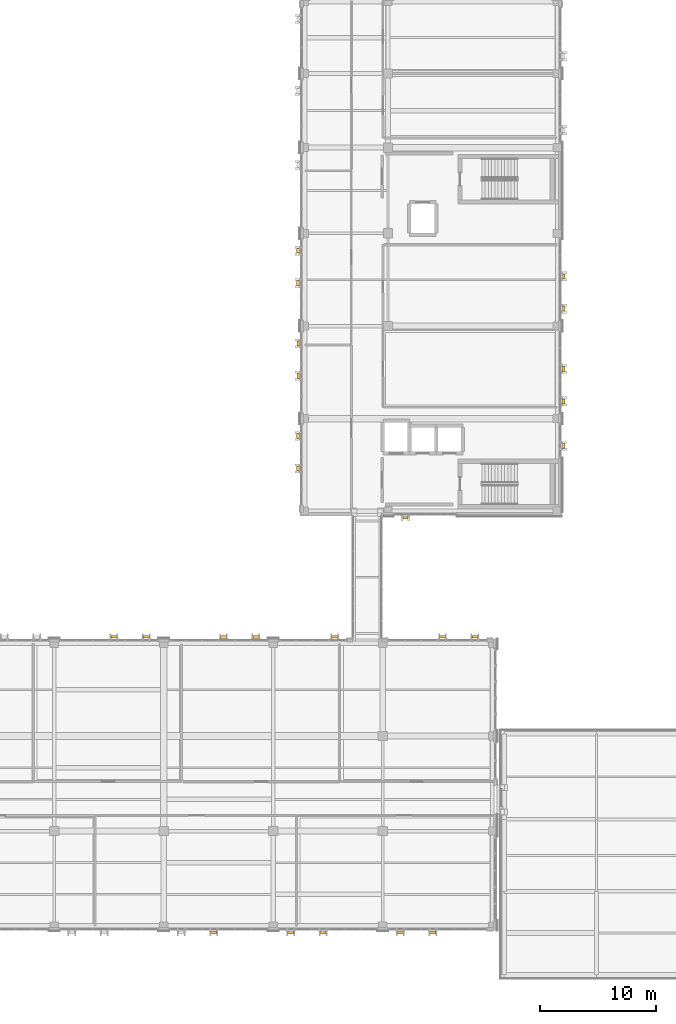
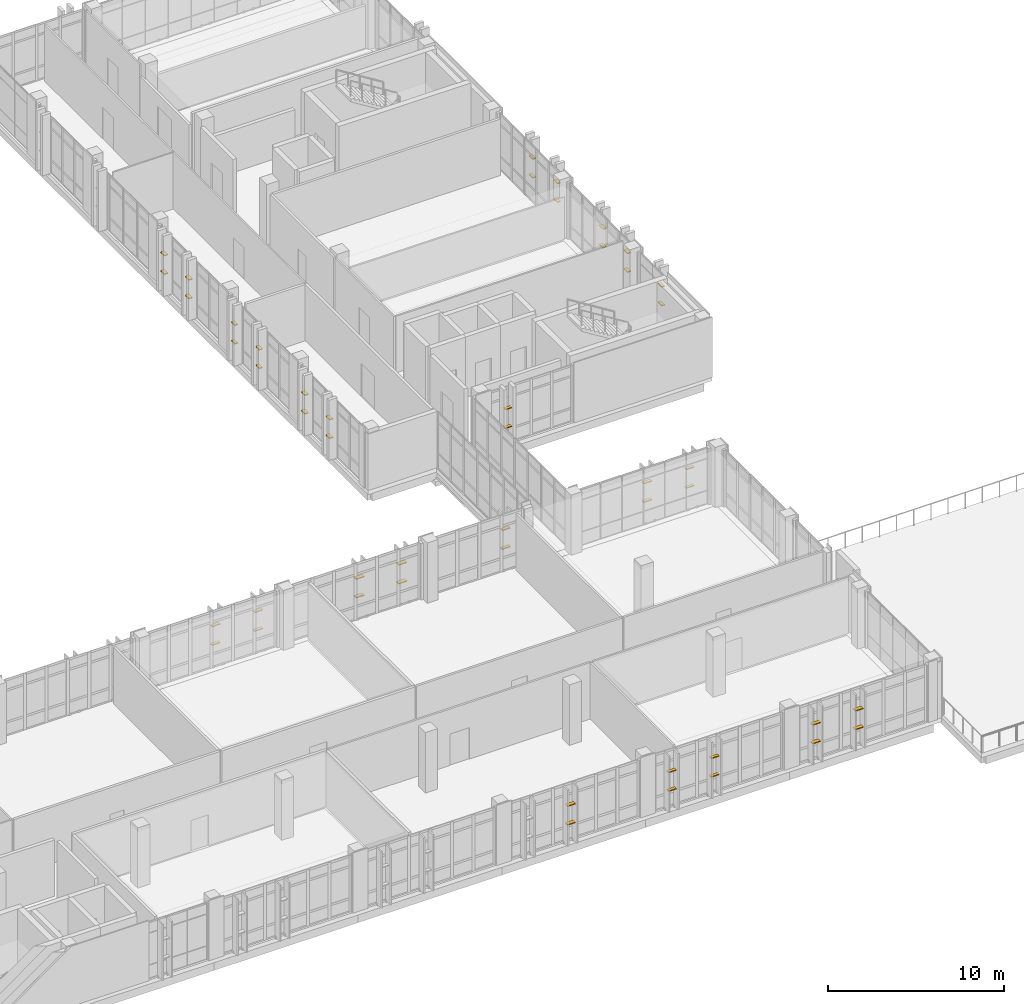
# One storey, part 163 of 165: 48 shading devices.
"""IFC4 building model written with IfcOpenShell, lengths in metres."""

from ifc_helpers import new_model, si_unit, direction, frame, origin, origin_2d, place, context, subcontext, project, spatial, rectangle, extrude, material, type_object, element, save


model = new_model("IFC4")

# Units and contexts
model_context = context("Model", 3, precision=1e-05, world=origin(), true_north=direction((0.0, 1.0)))
body_context = subcontext(model_context, "Body", "Model", "MODEL_VIEW")
ifc_project = project(units=[si_unit("LENGTHUNIT", "METRE"), si_unit("AREAUNIT", "SQUARE_METRE"), si_unit("VOLUMEUNIT", "CUBIC_METRE"), si_unit("PLANEANGLEUNIT", "RADIAN"), si_unit("MASSUNIT", "GRAM", prefix="KILO")], contexts=[model_context])

# Site, building, storey
site_placement = place(None, origin())
site = spatial("IfcSite", under=ifc_project, at=site_placement, CompositionType="ELEMENT")
building_placement = place(site_placement, origin())
building = spatial("IfcBuilding", under=site, at=building_placement, Name="Qalavern Law Courts", CompositionType="ELEMENT")
storey_placement = place(building_placement, frame((0.0, 0.0, 14.39990234375)))
storey = spatial("IfcBuildingStorey", under=building, at=storey_placement, Name="L03", CompositionType="ELEMENT", Elevation=14.39990234375)

# Shading devices
ifc_material = material(Name="Anodised aluminium", Category="aluminium")
shading_device_type_1 = type_object("IfcShadingDeviceType", Name="ENV-LOUV-1", PredefinedType="JALOUSIE", material=ifc_material)
for number, where, z_axis, x_axis, name in (
    (1, (83.391357421875, 5.03759765625, 1.342041015625), (0.0, 0.0, 1.0), (1.0, 0.0, 0.0), "Horizontal sun louvre V2-L03-0-1"),
    (2, (83.391357421875, 5.03759765625, 2.6357421875), (0.0, 0.0, 1.0), (1.0, 0.0, 0.0), "Horizontal sun louvre V2-L03-0-2"),
    (3, (86.19140625, 5.03759765625, 1.342041015625), (0.0, 0.0, 1.0), (1.0, 0.0, 0.0), "Horizontal sun louvre V2-L03-1-1"),
    (4, (86.19140625, 5.03759765625, 2.6357421875), (0.0, 0.0, 1.0), (1.0, 0.0, 0.0), "Horizontal sun louvre V2-L03-1-2"),
    (5, (99.300048828125, 30.5625, 1.342041015625), (0.0, 0.0, 1.0), (-1.0, 0.0, 0.0), "Horizontal sun louvre V2-L03-0-1"),
    (6, (99.300048828125, 30.5625, 2.6357421875), (0.0, 0.0, 1.0), (-1.0, 0.0, 0.0), "Horizontal sun louvre V2-L03-0-2"),
    (7, (96.5, 30.5625, 1.342041015625), (0.0, 0.0, 1.0), (-1.0, 0.0, 0.0), "Horizontal sun louvre V2-L03-1-1"),
    (8, (96.5, 30.5625, 2.6357421875), (0.0, 0.0, 1.0), (-1.0, 0.0, 0.0), "Horizontal sun louvre V2-L03-1-2"),
    (9, (87.199951171875, 30.5625, 1.342041015625), (0.0, 0.0, 1.0), (-1.0, 0.0, 0.0), "Horizontal sun louvre V2-L03-0-1"),
    (10, (87.199951171875, 30.5625, 2.6357421875), (0.0, 0.0, 1.0), (-1.0, 0.0, 0.0), "Horizontal sun louvre V2-L03-0-2"),
    (11, (70.93701171875, 30.5625, 1.342041015625), (0.0, 0.0, 1.0), (-1.0, 0.0, 0.0), "Horizontal sun louvre V2-L03-0-1"),
    (12, (70.93701171875, 30.5625, 2.6357421875), (0.0, 0.0, 1.0), (-1.0, 0.0, 0.0), "Horizontal sun louvre V2-L03-0-2"),
    (13, (68.13720703125, 30.5625, 1.342041015625), (0.0, 0.0, 1.0), (-1.0, 0.0, 0.0), "Horizontal sun louvre V2-L03-1-1"),
    (14, (68.13720703125, 30.5625, 2.6357421875), (0.0, 0.0, 1.0), (-1.0, 0.0, 0.0), "Horizontal sun louvre V2-L03-1-2"),
):
    element("IfcShadingDevice", number, at=place(storey_placement, frame(where, z_axis=z_axis, x_axis=x_axis)), inside=storey, type_object=shading_device_type_1, Name=name, PredefinedType="JALOUSIE", context=body_context, shape_type="SweptSolid", body=[
        extrude(rectangle(XDim=0.534912109375, YDim=0.2099609375, at=origin_2d()), origin(), (0.0, 0.0, 1.0), 0.06005859375),
    ])
for number, where, z_axis, x_axis, name in (
    (15, (93.300048828125, 40.857421875, 1.342041015625), (0.0, 0.0, 1.0), (1.0, 0.0, 0.0), "Horizontal sun louvre V4-L03-0-1"),
    (16, (93.300048828125, 40.857421875, 2.6357421875), (0.0, 0.0, 1.0), (1.0, 0.0, 0.0), "Horizontal sun louvre V4-L03-0-2"),
    (17, (106.96240234375, 47.050048828125, 1.342041015625), (0.0, 0.0, 1.0), (0.0, 1.0, 0.0), "Horizontal sun louvre V4-L03-0-1"),
    (18, (106.96240234375, 47.050048828125, 2.6357421875), (0.0, 0.0, 1.0), (0.0, 1.0, 0.0), "Horizontal sun louvre V4-L03-0-2"),
    (19, (106.96240234375, 58.89990234375, 1.342041015625), (0.0, 0.0, 1.0), (0.0, 1.0, 0.0), "Horizontal sun louvre V4-L03-0-1"),
    (20, (106.96240234375, 58.89990234375, 2.6357421875), (0.0, 0.0, 1.0), (0.0, 1.0, 0.0), "Horizontal sun louvre V4-L03-0-2"),
    (21, (106.96240234375, 61.699951171875, 1.342041015625), (0.0, 0.0, 1.0), (0.0, 1.0, 0.0), "Horizontal sun louvre V4-L03-1-1"),
    (22, (106.96240234375, 61.699951171875, 2.6357421875), (0.0, 0.0, 1.0), (0.0, 1.0, 0.0), "Horizontal sun louvre V4-L03-1-2"),
    (23, (84.03759765625, 55.89990234375, 1.342041015625), (0.0, 0.0, 1.0), (0.0, -1.0, 0.0), "Horizontal sun louvre V4-L03-0-1"),
    (24, (84.03759765625, 55.89990234375, 2.6357421875), (0.0, 0.0, 1.0), (0.0, -1.0, 0.0), "Horizontal sun louvre V4-L03-0-2"),
    (25, (84.03759765625, 53.10009765625, 1.342041015625), (0.0, 0.0, 1.0), (0.0, -1.0, 0.0), "Horizontal sun louvre V4-L03-1-1"),
    (26, (84.03759765625, 53.10009765625, 2.6357421875), (0.0, 0.0, 1.0), (0.0, -1.0, 0.0), "Horizontal sun louvre V4-L03-1-2"),
):
    element("IfcShadingDevice", number, at=place(storey_placement, frame(where, z_axis=z_axis, x_axis=x_axis)), inside=storey, type_object=shading_device_type_1, Name=name, PredefinedType="JALOUSIE", context=body_context, shape_type="SweptSolid", body=[
        extrude(rectangle(XDim=0.419921875, YDim=0.2099609375, at=origin_2d()), origin(), (0.0, 0.0, 1.0), 0.06005859375),
    ])
shading_device_type_2 = type_object("IfcShadingDeviceType", Name="ENV-LOUV-2", PredefinedType="JALOUSIE", material=ifc_material)
for number, where, z_axis, x_axis, name in (
    (27, (76.737060546875, 5.03759765625, 1.342041015625), (0.0, 0.0, 1.0), (1.0, 0.0, 0.0), "Horizontal sun louvre V2-L03-1-1"),
    (28, (76.737060546875, 5.03759765625, 2.6357421875), (0.0, 0.0, 1.0), (1.0, 0.0, 0.0), "Horizontal sun louvre V2-L03-1-2"),
    (29, (92.845703125, 5.03759765625, 1.342041015625), (0.0, 0.0, 1.0), (1.0, 0.0, 0.0), "Horizontal sun louvre V2-L03-0-1"),
    (30, (92.845703125, 5.03759765625, 2.6357421875), (0.0, 0.0, 1.0), (1.0, 0.0, 0.0), "Horizontal sun louvre V2-L03-0-2"),
    (31, (95.645751953125, 5.03759765625, 1.342041015625), (0.0, 0.0, 1.0), (1.0, 0.0, 0.0), "Horizontal sun louvre V2-L03-1-1"),
    (32, (95.645751953125, 5.03759765625, 2.6357421875), (0.0, 0.0, 1.0), (1.0, 0.0, 0.0), "Horizontal sun louvre V2-L03-1-2"),
    (33, (80.391357421875, 30.5625, 1.342041015625), (0.0, 0.0, 1.0), (-1.0, 0.0, 0.0), "Horizontal sun louvre V2-L03-0-1"),
    (34, (80.391357421875, 30.5625, 2.6357421875), (0.0, 0.0, 1.0), (-1.0, 0.0, 0.0), "Horizontal sun louvre V2-L03-0-2"),
    (35, (77.59130859375, 30.5625, 1.342041015625), (0.0, 0.0, 1.0), (-1.0, 0.0, 0.0), "Horizontal sun louvre V2-L03-1-1"),
    (36, (77.59130859375, 30.5625, 2.6357421875), (0.0, 0.0, 1.0), (-1.0, 0.0, 0.0), "Horizontal sun louvre V2-L03-1-2"),
):
    element("IfcShadingDevice", number, at=place(storey_placement, frame(where, z_axis=z_axis, x_axis=x_axis)), inside=storey, type_object=shading_device_type_2, Name=name, PredefinedType="JALOUSIE", context=body_context, shape_type="SweptSolid", body=[
        extrude(rectangle(XDim=0.534912109375, YDim=0.25, at=origin_2d()), origin(), (0.0, 0.0, 1.0), 0.06005859375),
    ])
for number, where, z_axis, x_axis, name in (
    (37, (106.96240234375, 50.89990234375, 1.342041015625), (0.0, 0.0, 1.0), (0.0, 1.0, 0.0), "Horizontal sun louvre V4-L03-0-1"),
    (38, (106.96240234375, 50.89990234375, 2.6357421875), (0.0, 0.0, 1.0), (0.0, 1.0, 0.0), "Horizontal sun louvre V4-L03-0-2"),
    (39, (106.96240234375, 53.699951171875, 1.342041015625), (0.0, 0.0, 1.0), (0.0, 1.0, 0.0), "Horizontal sun louvre V4-L03-1-1"),
    (40, (106.96240234375, 53.699951171875, 2.6357421875), (0.0, 0.0, 1.0), (0.0, 1.0, 0.0), "Horizontal sun louvre V4-L03-1-2"),
    (41, (84.03759765625, 63.89990234375, 1.342041015625), (0.0, 0.0, 1.0), (0.0, -1.0, 0.0), "Horizontal sun louvre V4-L03-0-1"),
    (42, (84.03759765625, 63.89990234375, 2.6357421875), (0.0, 0.0, 1.0), (0.0, -1.0, 0.0), "Horizontal sun louvre V4-L03-0-2"),
    (43, (84.03759765625, 61.10009765625, 1.342041015625), (0.0, 0.0, 1.0), (0.0, -1.0, 0.0), "Horizontal sun louvre V4-L03-1-1"),
    (44, (84.03759765625, 61.10009765625, 2.6357421875), (0.0, 0.0, 1.0), (0.0, -1.0, 0.0), "Horizontal sun louvre V4-L03-1-2"),
    (45, (84.03759765625, 47.89990234375, 1.342041015625), (0.0, 0.0, 1.0), (0.0, -1.0, 0.0), "Horizontal sun louvre V4-L03-0-1"),
    (46, (84.03759765625, 47.89990234375, 2.6357421875), (0.0, 0.0, 1.0), (0.0, -1.0, 0.0), "Horizontal sun louvre V4-L03-0-2"),
    (47, (84.03759765625, 45.10009765625, 1.342041015625), (0.0, 0.0, 1.0), (0.0, -1.0, 0.0), "Horizontal sun louvre V4-L03-1-1"),
    (48, (84.03759765625, 45.10009765625, 2.6357421875), (0.0, 0.0, 1.0), (0.0, -1.0, 0.0), "Horizontal sun louvre V4-L03-1-2"),
):
    element("IfcShadingDevice", number, at=place(storey_placement, frame(where, z_axis=z_axis, x_axis=x_axis)), inside=storey, type_object=shading_device_type_2, Name=name, PredefinedType="JALOUSIE", context=body_context, shape_type="SweptSolid", body=[
        extrude(rectangle(XDim=0.419921875, YDim=0.25, at=origin_2d()), origin(), (0.0, 0.0, 1.0), 0.06005859375),
    ])

save(model, "model.ifc")
